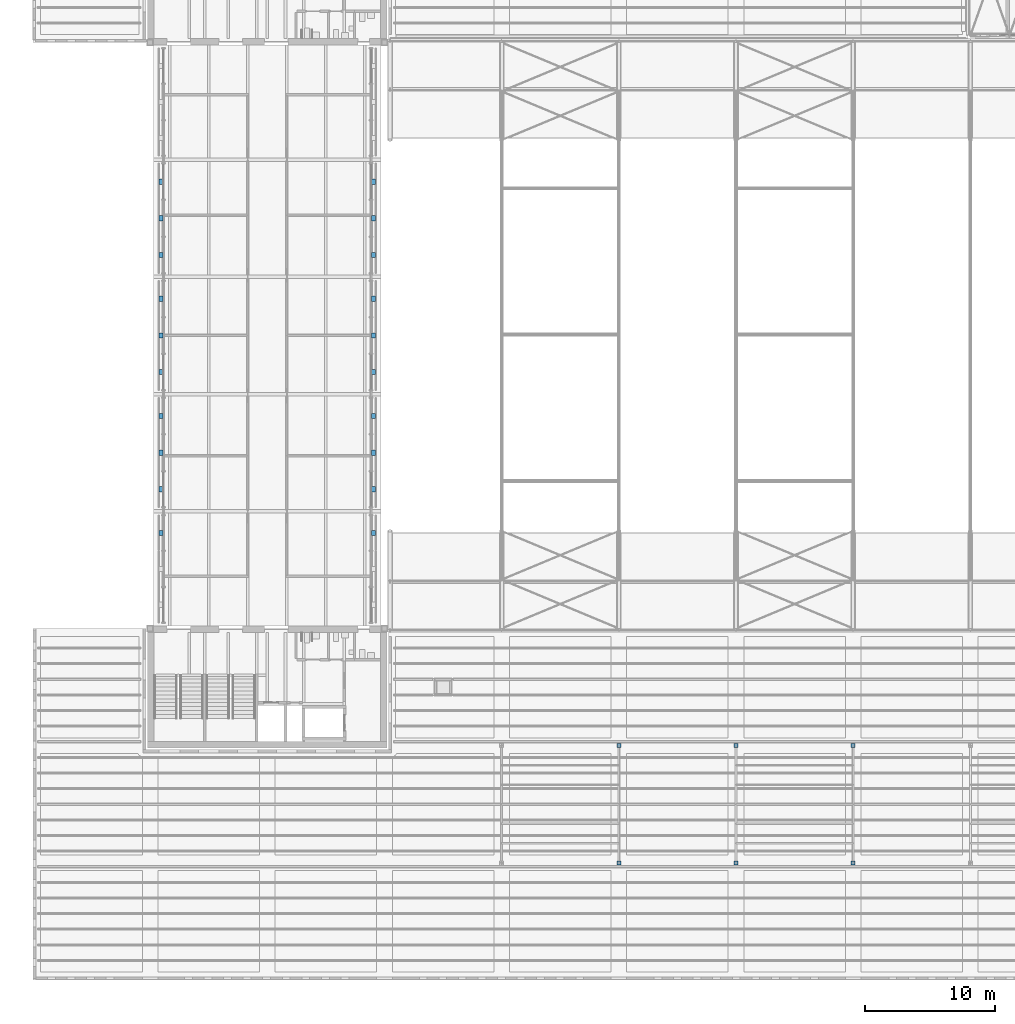
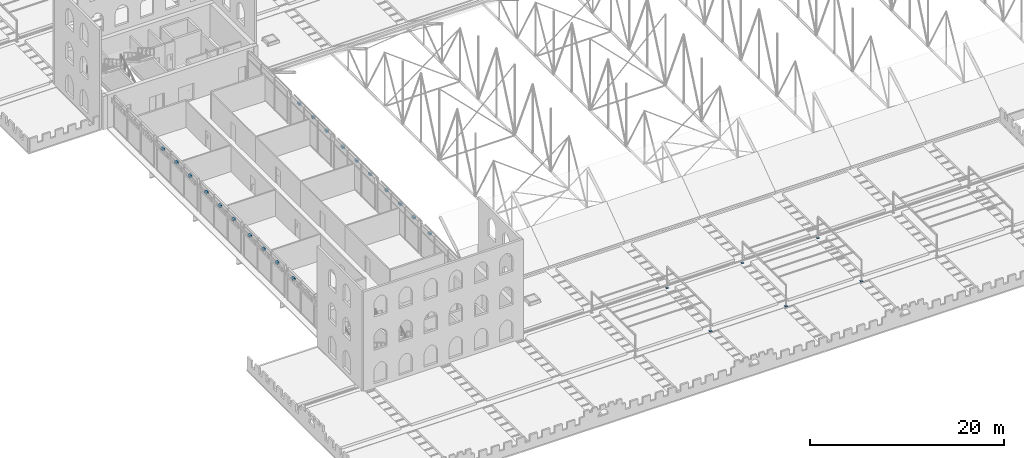
# One storey, part 117 of 153: 26 discrete accessories.
"""IFC4 building model written with IfcOpenShell, lengths in metres."""

import ifcopenshell
import ifcopenshell.guid

model = None  # the IFC model being written
_history = None  # IfcOwnerHistory: only IFC2X3 demands one
_inside = {}  # id of a spatial element -> (the spatial element, [elements in it])
_under = {}  # id of a project, library or spatial element -> (it, [spatial elements below it])
_declared = {}  # id of a project -> (the project, [libraries it declares])
_typed = {}  # id of a type object -> (the type object, [elements of that type])
_made_of = {}  # id of a material, layer set ... -> (it, [elements and type objects made of it])


def new_model(schema):
    """Start an empty IFC model of exactly this schema.

    Asked for "IFC4X3", IfcOpenShell would pick the latest addendum, in which some entities
    have other attributes; the version numbers below select the first issue.
    IFC2X3 requires an IfcOwnerHistory on every rooted entity: one is made here for all.
    """
    global model, _history
    if schema == "IFC4X3":
        model = ifcopenshell.file(schema_version=(4, 3, 0, 0))
    else:
        model = ifcopenshell.file(schema=schema)
    _inside.clear()
    _under.clear()
    _declared.clear()
    _typed.clear()
    _made_of.clear()
    _history = None
    if model.schema == "IFC2X3":
        org = make("IfcOrganization", Name="unknown")
        user = make(
            "IfcPersonAndOrganization",
            ThePerson=make("IfcPerson", FamilyName="unknown"),
            TheOrganization=org,
        )
        app = make(
            "IfcApplication",
            ApplicationDeveloper=org,
            Version="unknown",
            ApplicationFullName="unknown",
            ApplicationIdentifier="unknown",
        )
        _history = make(
            "IfcOwnerHistory",
            OwningUser=user,
            OwningApplication=app,
            ChangeAction="ADDED",
            CreationDate=0,
        )
    return model


def make(cls, **values):
    """One entity of the class cls with the attributes given. An attribute that is None is left unset."""
    return model.create_entity(
        cls, **{name: value for name, value in values.items() if value is not None}
    )


def rooted(cls, **values):
    """An entity with a GlobalId (a new one), such as an element, a storey or a relation."""
    return make(cls, GlobalId=ifcopenshell.guid.new(), OwnerHistory=_history, **values)


def si_unit(unit_type, name, prefix=None):
    """IfcSIUnit, for example si_unit("LENGTHUNIT", "METRE", prefix="MILLI")."""
    return make("IfcSIUnit", UnitType=unit_type, Prefix=prefix, Name=name)


def assignment(units):
    """IfcUnitAssignment: the units of a project."""
    return None if units is None else make("IfcUnitAssignment", Units=units)


def point(xyz):
    """IfcCartesianPoint."""
    return None if xyz is None else make("IfcCartesianPoint", Coordinates=xyz)


def direction(xyz):
    """IfcDirection."""
    return None if xyz is None else make("IfcDirection", DirectionRatios=xyz)


def frame(location, z_axis=None, x_axis=None):
    """IfcAxis2Placement3D, a coordinate frame: its origin and axes. An axis left out is left unset."""
    return make(
        "IfcAxis2Placement3D",
        Location=point(location),
        Axis=direction(z_axis),
        RefDirection=direction(x_axis),
    )


def frame_2d(location, x_axis=None):
    """IfcAxis2Placement2D, a coordinate frame in the plane: its origin and x axis."""
    return make(
        "IfcAxis2Placement2D", Location=point(location), RefDirection=direction(x_axis)
    )


def origin():
    """The frame at (0, 0, 0) with its axes left unset."""
    return frame((0.0, 0.0, 0.0))


def origin_2d():
    """The frame at (0, 0) in the plane with its x axis left unset."""
    return frame_2d((0.0, 0.0))


def place(relative_to, where):
    """IfcLocalPlacement: puts the frame where relative to a parent placement (None: the world)."""
    return make(
        "IfcLocalPlacement", PlacementRelTo=relative_to, RelativePlacement=where
    )


def context(
    kind, dimensions, precision=None, world=None, true_north=None, identifier=None
):
    """IfcGeometricRepresentationContext, for example the 3D "Model" context."""
    return make(
        "IfcGeometricRepresentationContext",
        ContextIdentifier=identifier,
        ContextType=kind,
        CoordinateSpaceDimension=dimensions,
        Precision=precision,
        WorldCoordinateSystem=world,
        TrueNorth=true_north,
    )


def subcontext(parent, identifier, kind, view, scale=None):
    """IfcGeometricRepresentationSubContext, for example "Body" below "Model"."""
    return make(
        "IfcGeometricRepresentationSubContext",
        ContextIdentifier=identifier,
        ContextType=kind,
        ParentContext=parent,
        TargetScale=scale,
        TargetView=view,
    )


def project(units=None, contexts=None):
    """IfcProject with its units and contexts."""
    return rooted(
        "IfcProject",
        Name="project",
        RepresentationContexts=contexts,
        UnitsInContext=assignment(units),
    )


def spatial(cls, under=None, at=None, **own):
    """A site, building, storey or space (cls), placed at a placement, below another one or the project."""
    s = rooted(cls, ObjectPlacement=at, **own)
    if under is not None:
        _under.setdefault(under.id(), (under, []))[1].append(s)
    return s


def profile(cls, at=None, kind="AREA", **sizes):
    """A parametric profile (cls). Its sizes go by their IFC names, for example OverallWidth=200.0."""
    return make(cls, ProfileType=kind, Position=at, **sizes)


def rectangle(**sizes):
    """IfcRectangleProfileDef."""
    return profile("IfcRectangleProfileDef", **sizes)


def extrude(swept, where, along, depth):
    """IfcExtrudedAreaSolid: the profile swept, set in the frame where, extruded along a direction by depth."""
    return make(
        "IfcExtrudedAreaSolid",
        SweptArea=swept,
        Position=where,
        ExtrudedDirection=direction(along),
        Depth=depth,
    )


def shape(context_of_items, identifier, shape_type, items):
    """IfcShapeRepresentation: the items that make up one representation, for example the "Body"."""
    return make(
        "IfcShapeRepresentation",
        ContextOfItems=context_of_items,
        RepresentationIdentifier=identifier,
        RepresentationType=shape_type,
        Items=items,
    )


def material(Name=None, Category=None):
    """IfcMaterial."""
    return make("IfcMaterial", Name=Name, Category=Category)


def made_of(thing, what):
    """Note that an element or type object is made of a material, layer set ...; save() writes the relation."""
    if what is not None:
        _made_of.setdefault(what.id(), (what, []))[1].append(thing)
    return thing


def type_object(cls, material=None, **own):
    """A type object (cls), such as IfcWallType, which elements share."""
    return made_of(rooted(cls, **own), material)


def element(
    cls,
    number,
    at=None,
    inside=None,
    cuts=None,
    type_object=None,
    material=None,
    context=None,
    identifier="Body",
    shape_type=None,
    held_by="IfcProductDefinitionShape",
    body=None,
    shapes=None,
    **own,
):
    """One element of the class cls, such as IfcWall. Its Tag is "e" and its number.

    at: its placement. inside: the storey or other place that contains it. cuts: it is an
    opening in that element (IfcRelVoidsElement). A single representation is given by context,
    identifier, shape_type and body (its items); several are given by shapes. held_by: the class
    of the entity that holds the representations. save() writes the other relations.
    """
    e = rooted(cls, Tag="e%d" % number, ObjectPlacement=at, **own)
    if body is not None:
        shapes = [shape(context, identifier, shape_type, body)]
    if shapes is not None:
        e.Representation = make(held_by, Representations=shapes)
    if inside is not None:
        _inside.setdefault(inside.id(), (inside, []))[1].append(e)
    if cuts is not None:
        rooted(
            "IfcRelVoidsElement", RelatingBuildingElement=cuts, RelatedOpeningElement=e
        )
    if type_object is not None:
        _typed.setdefault(type_object.id(), (type_object, []))[1].append(e)
    return made_of(e, material)


def aggregate(whole, parts):
    """IfcRelAggregates: a whole, such as a stair, and the parts it consists of."""
    return rooted("IfcRelAggregates", RelatingObject=whole, RelatedObjects=parts)


def save(model, path):
    """Write the relations noted so far, then the file.

    IfcRelAggregates (storeys below a building ...), IfcRelContainedInSpatialStructure (elements
    in a storey), IfcRelDefinesByType, IfcRelAssociatesMaterial and IfcRelDeclares: one each for
    every whole, place, type object, material and project.
    """
    for whole, parts in _under.values():
        aggregate(whole, parts)
    for where, things in _inside.values():
        rooted(
            "IfcRelContainedInSpatialStructure",
            RelatedElements=things,
            RelatingStructure=where,
        )
    for kind, things in _typed.values():
        rooted("IfcRelDefinesByType", RelatedObjects=things, RelatingType=kind)
    for what, things in _made_of.values():
        rooted("IfcRelAssociatesMaterial", RelatedObjects=things, RelatingMaterial=what)
    for by, libraries in _declared.values():
        rooted("IfcRelDeclares", RelatingContext=by, RelatedDefinitions=libraries)
    model.write(path)


model = new_model("IFC4")

# Units and contexts
model_context = context("Model", 3, precision=1e-05, world=origin(), true_north=direction((0.0, 1.0)))
body_context = subcontext(model_context, "Body", "Model", "MODEL_VIEW")
ifc_project = project(units=[si_unit("LENGTHUNIT", "METRE"), si_unit("AREAUNIT", "SQUARE_METRE"), si_unit("VOLUMEUNIT", "CUBIC_METRE"), si_unit("PLANEANGLEUNIT", "RADIAN"), si_unit("MASSUNIT", "GRAM", prefix="KILO")], contexts=[model_context])

# Site, building, storey
site_placement = place(None, origin())
site = spatial("IfcSite", under=ifc_project, at=site_placement, CompositionType="ELEMENT")
building_placement = place(site_placement, origin())
building = spatial("IfcBuilding", under=site, at=building_placement, Name="Baradari Gate Terminus", CompositionType="ELEMENT")
storey_placement = place(building_placement, frame((0.0, 0.0, 11.699951171875)))
storey = spatial("IfcBuildingStorey", under=building, at=storey_placement, Name="L02", CompositionType="ELEMENT", Elevation=11.699951171875)

# Discrete accessories
ifc_material_1 = material(Name="Stainless steel 316", Category="steel")
discrete_accessory_type_1 = type_object("IfcDiscreteAccessoryType", Name="Jali screen bracket BK-2 stainless steel", PredefinedType="BRACKET", material=ifc_material_1)
for number, where, z_axis, x_axis, name in (
    (1, (72.8525390625, 43.33837890625, 3.455078125), (0.0, 0.0, 1.0), (-1.0, 0.0, 0.0), "Jali screen bracket BK-2 L02/GW1 bay 3"),
    (2, (72.8525390625, 46.686767578125, 3.455078125), (0.0, 0.0, 1.0), (-1.0, 0.0, 0.0), "Jali screen bracket BK-2 L02/GW2 bay 1"),
    (3, (72.8525390625, 49.5, 3.455078125), (0.0, 0.0, 1.0), (-1.0, 0.0, 0.0), "Jali screen bracket BK-2 L02/GW2 bay 2"),
    (4, (72.8525390625, 52.313232421875, 3.455078125), (0.0, 0.0, 1.0), (-1.0, 0.0, 0.0), "Jali screen bracket BK-2 L02/GW2 bay 3"),
    (5, (72.8525390625, 55.686767578125, 3.455078125), (0.0, 0.0, 1.0), (-1.0, 0.0, 0.0), "Jali screen bracket BK-2 L02/GW3 bay 1"),
    (6, (72.8525390625, 58.5, 3.455078125), (0.0, 0.0, 1.0), (-1.0, 0.0, 0.0), "Jali screen bracket BK-2 L02/GW3 bay 2"),
    (7, (72.8525390625, 61.313232421875, 3.455078125), (0.0, 0.0, 1.0), (-1.0, 0.0, 0.0), "Jali screen bracket BK-2 L02/GW3 bay 3"),
    (8, (72.8525390625, 64.686767578125, 3.455078125), (0.0, 0.0, 1.0), (-1.0, 0.0, 0.0), "Jali screen bracket BK-2 L02/GW4 bay 1"),
    (9, (72.8525390625, 67.5, 3.455078125), (0.0, 0.0, 1.0), (-1.0, 0.0, 0.0), "Jali screen bracket BK-2 L02/GW4 bay 2"),
    (10, (72.8525390625, 70.313232421875, 3.455078125), (0.0, 0.0, 1.0), (-1.0, 0.0, 0.0), "Jali screen bracket BK-2 L02/GW4 bay 3"),
    (11, (89.1474609375, 43.33837890625, 3.455078125), (0.0, 0.0, 1.0), (1.0, 0.0, 0.0), "Jali screen bracket BK-2 L02/GE1 bay 3"),
    (12, (89.1474609375, 46.686767578125, 3.455078125), (0.0, 0.0, 1.0), (1.0, 0.0, 0.0), "Jali screen bracket BK-2 L02/GE2 bay 1"),
    (13, (89.1474609375, 49.5, 3.455078125), (0.0, 0.0, 1.0), (1.0, 0.0, 0.0), "Jali screen bracket BK-2 L02/GE2 bay 2"),
    (14, (89.1474609375, 52.313232421875, 3.455078125), (0.0, 0.0, 1.0), (1.0, 0.0, 0.0), "Jali screen bracket BK-2 L02/GE2 bay 3"),
    (15, (89.1474609375, 55.686767578125, 3.455078125), (0.0, 0.0, 1.0), (1.0, 0.0, 0.0), "Jali screen bracket BK-2 L02/GE3 bay 1"),
    (16, (89.1474609375, 58.5, 3.455078125), (0.0, 0.0, 1.0), (1.0, 0.0, 0.0), "Jali screen bracket BK-2 L02/GE3 bay 2"),
    (17, (89.1474609375, 61.313232421875, 3.455078125), (0.0, 0.0, 1.0), (1.0, 0.0, 0.0), "Jali screen bracket BK-2 L02/GE3 bay 3"),
    (18, (89.1474609375, 64.686767578125, 3.455078125), (0.0, 0.0, 1.0), (1.0, 0.0, 0.0), "Jali screen bracket BK-2 L02/GE4 bay 1"),
    (19, (89.1474609375, 67.5, 3.455078125), (0.0, 0.0, 1.0), (1.0, 0.0, 0.0), "Jali screen bracket BK-2 L02/GE4 bay 2"),
    (20, (89.1474609375, 70.313232421875, 3.455078125), (0.0, 0.0, 1.0), (1.0, 0.0, 0.0), "Jali screen bracket BK-2 L02/GE4 bay 3"),
):
    element("IfcDiscreteAccessory", number, at=place(storey_placement, frame(where, z_axis=z_axis, x_axis=x_axis)), inside=storey, type_object=discrete_accessory_type_1, Name=name, PredefinedType="BRACKET", context=body_context, shape_type="SweptSolid", body=[
        extrude(rectangle(XDim=0.304931640625, YDim=0.39990234375, at=origin_2d()), origin(), (0.0, 0.0, 1.0), 0.25),
    ])
ifc_material_2 = material(Name="Steel S355", Category="steel")
discrete_accessory_type_2 = type_object("IfcDiscreteAccessoryType", Name="Pergola base plate PGP-1 300x300x12", PredefinedType="BRACKET", material=ifc_material_2)
for number, where, z_axis, x_axis, name in (
    (21, (108.0, 18.0, 0.0), (0.0, 0.0, 1.0), (1.0, 0.0, 0.0), "Pergola base plate S1"),
    (22, (108.0, 27.0, 0.0), (0.0, 0.0, 1.0), (1.0, 0.0, 0.0), "Pergola base plate S1"),
    (23, (117.0, 18.0, 0.0), (0.0, 0.0, 1.0), (1.0, 0.0, 0.0), "Pergola base plate S2"),
    (24, (126.0, 18.0, 0.0), (0.0, 0.0, 1.0), (1.0, 0.0, 0.0), "Pergola base plate S2"),
    (25, (126.0, 27.0, 0.0), (0.0, 0.0, 1.0), (1.0, 0.0, 0.0), "Pergola base plate S2"),
    (26, (117.0, 27.0, 0.0), (0.0, 0.0, 1.0), (1.0, 0.0, 0.0), "Pergola base plate S2"),
):
    element("IfcDiscreteAccessory", number, at=place(storey_placement, frame(where, z_axis=z_axis, x_axis=x_axis)), inside=storey, type_object=discrete_accessory_type_2, Name=name, PredefinedType="BRACKET", context=body_context, shape_type="SweptSolid", body=[
        extrude(rectangle(XDim=0.300048828125, YDim=0.300048828125, at=origin_2d()), origin(), (0.0, 0.0, 1.0), 0.011962890625),
    ])

save(model, "model.ifc")
